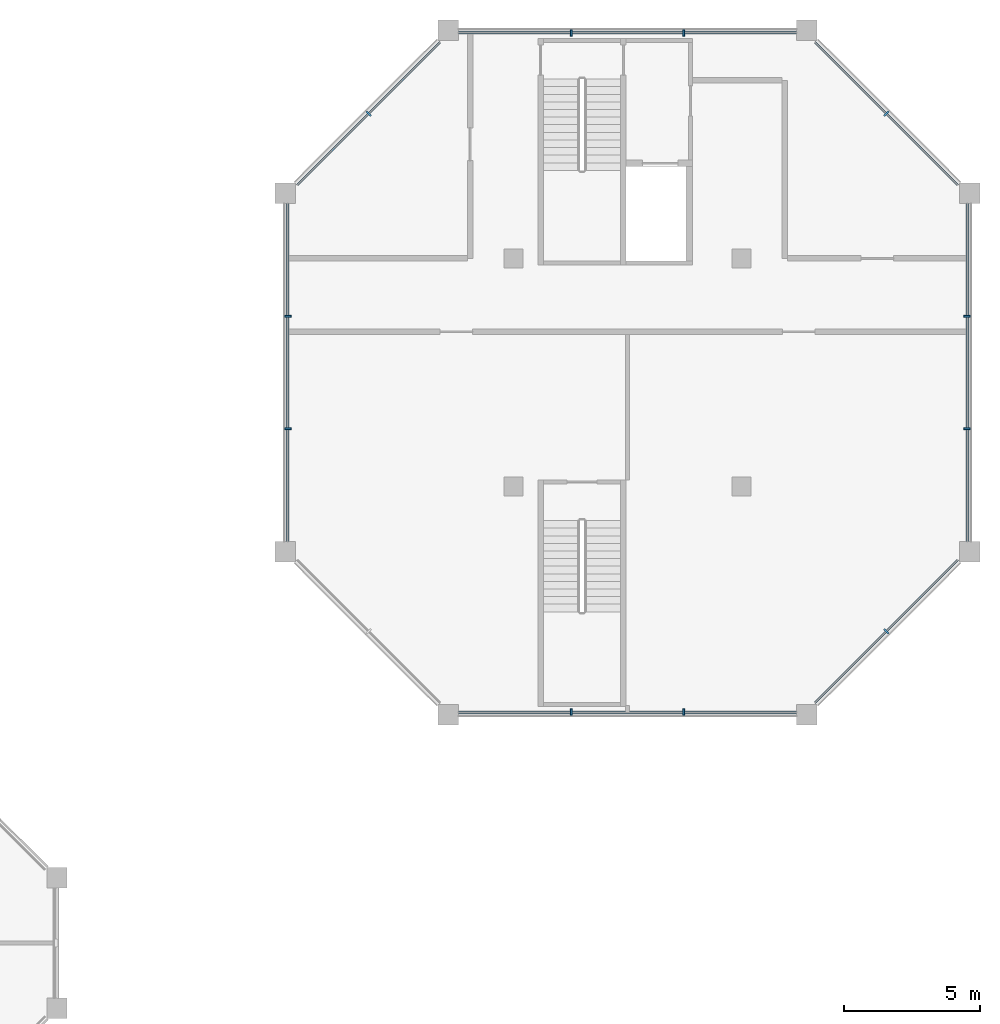
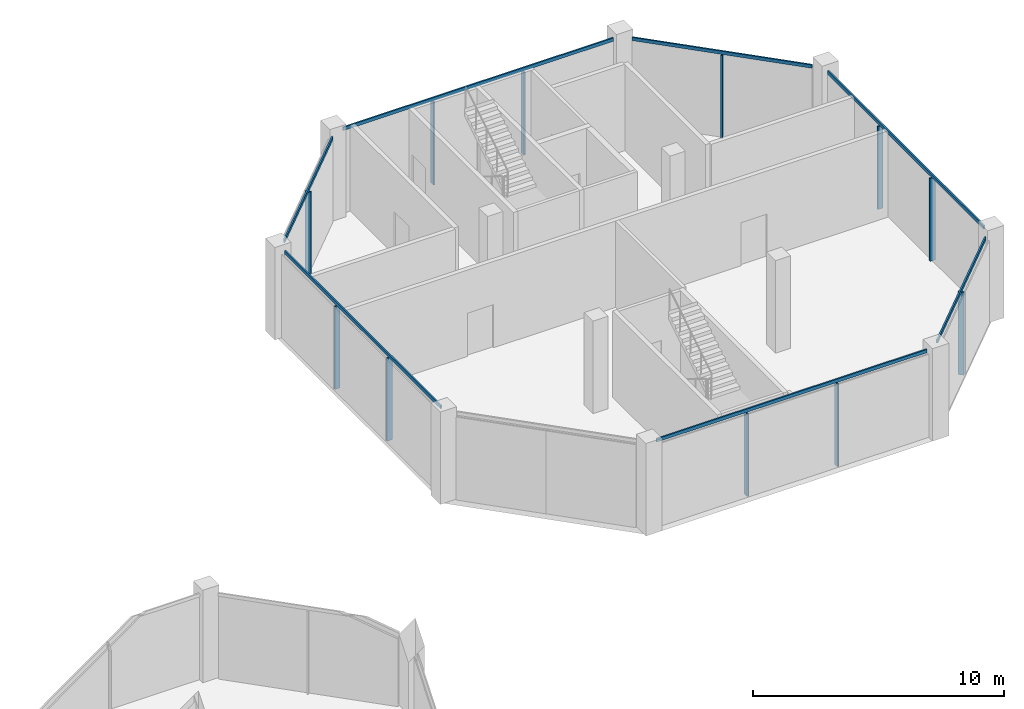
# One storey, part 3 of 9: 18 members, 7 elements without a shape of their own.
"""IFC4 building model written with IfcOpenShell, lengths in metres."""

from ifc_helpers import new_model, si_unit, direction, frame, origin, origin_2d, place, context, subcontext, project, spatial, rectangle, extrude, material, layer, layer_set, material_profile, profile_set, type_object, element, aggregate, save


model = new_model("IFC4")

# Units and contexts
model_context = context("Model", 3, precision=1e-05, world=origin(), true_north=direction((0.0, 1.0)))
body_context = subcontext(model_context, "Body", "Model", "MODEL_VIEW")
ifc_project = project(units=[si_unit("LENGTHUNIT", "METRE"), si_unit("AREAUNIT", "SQUARE_METRE"), si_unit("VOLUMEUNIT", "CUBIC_METRE"), si_unit("PLANEANGLEUNIT", "RADIAN"), si_unit("MASSUNIT", "GRAM", prefix="KILO")], contexts=[model_context])

# Site, building, storey
site_placement = place(None, origin())
site = spatial("IfcSite", under=ifc_project, at=site_placement, CompositionType="ELEMENT")
building_placement = place(site_placement, origin())
building = spatial("IfcBuilding", under=site, at=building_placement, Name="Kawkab Arch Medical Tower", CompositionType="ELEMENT")
storey_placement = place(building_placement, frame((0.0, 0.0, 341.199951171875)))
storey = spatial("IfcBuildingStorey", under=building, at=storey_placement, Name="L79", CompositionType="ELEMENT", Elevation=341.199951171875)

# Curtain wall, member
ifc_material_1 = material(Name="Bronze anodised aluminium curtain wall frame", Category="aluminium")
ifc_layer = layer(ifc_material_1, 0.159912109375)
ifc_layer_set = layer_set([ifc_layer], Name="Bronze anodised aluminium curtain wall frame")
curtain_wall_type = type_object("IfcCurtainWallType", Name="CW6 helipad lobby and crown glazing", PredefinedType="NOTDEFINED", material=ifc_layer_set)
placement = place(storey_placement, origin())
curtain_wall_1 = element("IfcCurtainWall", 1, at=placement, inside=storey, type_object=curtain_wall_type, Name="CW6 Helipad lobby and crown glazing R01", PredefinedType="NOTDEFINED")
ifc_material_2 = material(Name="Bronze anodised aluminium curtain wall frame", Category="aluminium")
ifc_material_profile_1 = material_profile(ifc_material_2, rectangle(XDim=0.239990234375, YDim=0.070068359375, at=origin_2d()), Name="AL 70x240")
ifc_profile_set_1 = profile_set([ifc_material_profile_1], Name="Bronze anodised aluminium curtain wall frame")
member_type_1 = type_object("IfcMemberType", Name="CW6 mullion 70 x 240", PredefinedType="MULLION", material=ifc_profile_set_1)
member_1_placement = place(storey_placement, frame((55.729248046875, -3.07080078125, 0.0), z_axis=(0.0, 0.0, 1.0), x_axis=(-0.707106781187, -0.707106781187, 0.0)))
member_1 = element("IfcMember", 2, at=member_1_placement, type_object=member_type_1, Name="CW6 mullion 1.1", PredefinedType="MULLION", context=body_context, shape_type="SweptSolid", body=[
    extrude(rectangle(XDim=0.239990234375, YDim=0.070068359375, at=origin_2d()), origin(), (0.0, 0.0, 1.0), 4.0400390625),
])

# Curtain wall, members
curtain_wall_2 = element("IfcCurtainWall", 3, at=placement, inside=storey, type_object=curtain_wall_type, Name="CW6 Helipad lobby and crown glazing R02", PredefinedType="NOTDEFINED")
member_2_placement = place(storey_placement, frame((48.27490234375, -0.10009765625, 0.0), z_axis=(0.0, 0.0, 1.0), x_axis=(0.0, -1.0, 0.0)))
member_2 = element("IfcMember", 4, at=member_2_placement, type_object=member_type_1, Name="CW6 mullion 1.1", PredefinedType="MULLION", context=body_context, shape_type="SweptSolid", body=[
    extrude(rectangle(XDim=0.239990234375, YDim=0.070068359375, at=origin_2d()), origin(), (0.0, 0.0, 1.0), 4.0400390625),
])
member_3_placement = place(storey_placement, frame((44.125, -0.10009765625, 0.0), z_axis=(0.0, 0.0, 1.0), x_axis=(0.0, -1.0, 0.0)))
member_3 = element("IfcMember", 5, at=member_3_placement, type_object=member_type_1, Name="CW6 mullion 1.2", PredefinedType="MULLION", context=body_context, shape_type="SweptSolid", body=[
    extrude(rectangle(XDim=0.239990234375, YDim=0.070068359375, at=origin_2d()), origin(), (0.0, 0.0, 1.0), 4.0400390625),
])

# Curtain wall, member
curtain_wall_3 = element("IfcCurtainWall", 6, at=placement, inside=storey, type_object=curtain_wall_type, Name="CW6 Helipad lobby and crown glazing R03", PredefinedType="NOTDEFINED")
member_4_placement = place(storey_placement, frame((36.670654296875, -3.07080078125, 0.0), z_axis=(0.0, 0.0, 1.0), x_axis=(0.707106781187, -0.707106781187, 0.0)))
member_4 = element("IfcMember", 7, at=member_4_placement, type_object=member_type_1, Name="CW6 mullion 1.1", PredefinedType="MULLION", context=body_context, shape_type="SweptSolid", body=[
    extrude(rectangle(XDim=0.239990234375, YDim=0.070068359375, at=origin_2d()), origin(), (0.0, 0.0, 1.0), 4.0400390625),
])

# Curtain wall, members
curtain_wall_4 = element("IfcCurtainWall", 8, at=placement, inside=storey, type_object=curtain_wall_type, Name="CW6 Helipad lobby and crown glazing R04", PredefinedType="NOTDEFINED")
member_5_placement = place(storey_placement, frame((33.699951171875, -10.52490234375, 0.0), z_axis=(0.0, 0.0, 1.0), x_axis=(1.0, 0.0, 0.0)))
member_5 = element("IfcMember", 9, at=member_5_placement, type_object=member_type_1, Name="CW6 mullion 1.1", PredefinedType="MULLION", context=body_context, shape_type="SweptSolid", body=[
    extrude(rectangle(XDim=0.239990234375, YDim=0.070068359375, at=origin_2d()), origin(), (0.0, 0.0, 1.0), 4.0400390625),
])
member_6_placement = place(storey_placement, frame((33.699951171875, -14.675048828125, 0.0), z_axis=(0.0, 0.0, 1.0), x_axis=(1.0, 0.0, 0.0)))
member_6 = element("IfcMember", 10, at=member_6_placement, type_object=member_type_1, Name="CW6 mullion 1.2", PredefinedType="MULLION", context=body_context, shape_type="SweptSolid", body=[
    extrude(rectangle(XDim=0.239990234375, YDim=0.070068359375, at=origin_2d()), origin(), (0.0, 0.0, 1.0), 4.0400390625),
])

curtain_wall_5 = element("IfcCurtainWall", 11, at=placement, inside=storey, type_object=curtain_wall_type, Name="CW6 Helipad lobby and crown glazing R06", PredefinedType="NOTDEFINED")
member_7_placement = place(storey_placement, frame((44.125, -25.10009765625, 0.0), z_axis=(0.0, 0.0, 1.0), x_axis=(0.0, 1.0, 0.0)))
member_7 = element("IfcMember", 12, at=member_7_placement, type_object=member_type_1, Name="CW6 mullion 1.1", PredefinedType="MULLION", context=body_context, shape_type="SweptSolid", body=[
    extrude(rectangle(XDim=0.239990234375, YDim=0.070068359375, at=origin_2d()), origin(), (0.0, 0.0, 1.0), 4.0400390625),
])
member_8_placement = place(storey_placement, frame((48.27490234375, -25.10009765625, 0.0), z_axis=(0.0, 0.0, 1.0), x_axis=(0.0, 1.0, 0.0)))
member_8 = element("IfcMember", 13, at=member_8_placement, type_object=member_type_1, Name="CW6 mullion 1.2", PredefinedType="MULLION", context=body_context, shape_type="SweptSolid", body=[
    extrude(rectangle(XDim=0.239990234375, YDim=0.070068359375, at=origin_2d()), origin(), (0.0, 0.0, 1.0), 4.0400390625),
])

# Curtain wall, member
curtain_wall_6 = element("IfcCurtainWall", 14, at=placement, inside=storey, type_object=curtain_wall_type, Name="CW6 Helipad lobby and crown glazing R07", PredefinedType="NOTDEFINED")
member_9_placement = place(storey_placement, frame((55.729248046875, -22.12939453125, 0.0), z_axis=(0.0, 0.0, 1.0), x_axis=(-0.707106781187, 0.707106781187, 0.0)))
member_9 = element("IfcMember", 15, at=member_9_placement, type_object=member_type_1, Name="CW6 mullion 1.1", PredefinedType="MULLION", context=body_context, shape_type="SweptSolid", body=[
    extrude(rectangle(XDim=0.239990234375, YDim=0.070068359375, at=origin_2d()), origin(), (0.0, 0.0, 1.0), 4.0400390625),
])

# Curtain wall, members
curtain_wall_7 = element("IfcCurtainWall", 16, at=placement, inside=storey, type_object=curtain_wall_type, Name="CW6 Helipad lobby and crown glazing R08", PredefinedType="NOTDEFINED")
member_10_placement = place(storey_placement, frame((58.699951171875, -14.675048828125, 0.0), z_axis=(0.0, 0.0, 1.0), x_axis=(-1.0, 0.0, 0.0)))
member_10 = element("IfcMember", 17, at=member_10_placement, type_object=member_type_1, Name="CW6 mullion 1.1", PredefinedType="MULLION", context=body_context, shape_type="SweptSolid", body=[
    extrude(rectangle(XDim=0.239990234375, YDim=0.070068359375, at=origin_2d()), origin(), (0.0, 0.0, 1.0), 4.0400390625),
])
member_11_placement = place(storey_placement, frame((58.699951171875, -10.52490234375, 0.0), z_axis=(0.0, 0.0, 1.0), x_axis=(-1.0, 0.0, 0.0)))
member_11 = element("IfcMember", 18, at=member_11_placement, type_object=member_type_1, Name="CW6 mullion 1.2", PredefinedType="MULLION", context=body_context, shape_type="SweptSolid", body=[
    extrude(rectangle(XDim=0.239990234375, YDim=0.070068359375, at=origin_2d()), origin(), (0.0, 0.0, 1.0), 4.0400390625),
])

# Member
ifc_material_3 = material(Name="Bronze anodised aluminium curtain wall frame", Category="aluminium")
ifc_material_profile_2 = material_profile(ifc_material_3, rectangle(XDim=0.070068359375, YDim=0.159912109375, at=origin_2d()), Name="AL 70x160")
ifc_profile_set_2 = profile_set([ifc_material_profile_2], Name="Bronze anodised aluminium curtain wall frame")
member_type_2 = type_object("IfcMemberType", Name="CW6 transom 160 x 70", PredefinedType="USERDEFINED", material=ifc_profile_set_2)
member_12_placement = place(storey_placement, frame((58.354248046875, -5.69580078125, 4.1201171875), z_axis=(-0.707090340093, 0.707123221898, 0.0), x_axis=(-0.707123221898, -0.707090340093, 0.0)))
member_12 = element("IfcMember", 19, at=member_12_placement, type_object=member_type_2, Name="CW6 transom 1", ObjectType="TRANSOM", PredefinedType="USERDEFINED", context=body_context, shape_type="SweptSolid", body=[
    extrude(rectangle(XDim=0.070068359375, YDim=0.159912109375, at=origin_2d()), origin(), (0.0, 0.0, 1.0), 7.4248046875),
])

aggregate(curtain_wall_1, [member_12, member_1])

member_13_placement = place(storey_placement, frame((52.425048828125, -0.10009765625, 4.1201171875), z_axis=(-1.0, 0.0, 0.0), x_axis=(0.0, -1.0, 0.0)))
member_13 = element("IfcMember", 20, at=member_13_placement, type_object=member_type_2, Name="CW6 transom 1", ObjectType="TRANSOM", PredefinedType="USERDEFINED", context=body_context, shape_type="SweptSolid", body=[
    extrude(rectangle(XDim=0.070068359375, YDim=0.159912109375, at=origin_2d()), origin(), (0.0, 0.0, 1.0), 12.449951171875),
])

aggregate(curtain_wall_2, [member_13, member_2, member_3])

member_14_placement = place(storey_placement, frame((39.295654296875, -0.44580078125, 4.1201171875), z_axis=(-0.707106781187, -0.707106781187, 0.0), x_axis=(0.707106781187, -0.707106781187, 0.0)))
member_14 = element("IfcMember", 21, at=member_14_placement, type_object=member_type_2, Name="CW6 transom 1", ObjectType="TRANSOM", PredefinedType="USERDEFINED", context=body_context, shape_type="SweptSolid", body=[
    extrude(rectangle(XDim=0.070068359375, YDim=0.159912109375, at=origin_2d()), origin(), (0.0, 0.0, 1.0), 7.424560546875),
])

aggregate(curtain_wall_3, [member_14, member_4])

member_15_placement = place(storey_placement, frame((33.699951171875, -6.375, 4.1201171875), z_axis=(0.0, -1.0, 0.0), x_axis=(1.0, 0.0, 0.0)))
member_15 = element("IfcMember", 22, at=member_15_placement, type_object=member_type_2, Name="CW6 transom 1", ObjectType="TRANSOM", PredefinedType="USERDEFINED", context=body_context, shape_type="SweptSolid", body=[
    extrude(rectangle(XDim=0.070068359375, YDim=0.159912109375, at=origin_2d()), origin(), (0.0, 0.0, 1.0), 12.449951171875),
])

aggregate(curtain_wall_4, [member_15, member_5, member_6])

member_16_placement = place(storey_placement, frame((39.97509765625, -25.10009765625, 4.1201171875), z_axis=(1.0, 0.0, 0.0), x_axis=(0.0, 1.0, 0.0)))
member_16 = element("IfcMember", 23, at=member_16_placement, type_object=member_type_2, Name="CW6 transom 1", ObjectType="TRANSOM", PredefinedType="USERDEFINED", context=body_context, shape_type="SweptSolid", body=[
    extrude(rectangle(XDim=0.070068359375, YDim=0.159912109375, at=origin_2d()), origin(), (0.0, 0.0, 1.0), 12.449951171875),
])

aggregate(curtain_wall_5, [member_16, member_7, member_8])

member_17_placement = place(storey_placement, frame((53.104248046875, -24.75439453125, 4.1201171875), z_axis=(0.707090340093, 0.707123221898, 0.0), x_axis=(-0.707123221898, 0.707090340093, 0.0)))
member_17 = element("IfcMember", 24, at=member_17_placement, type_object=member_type_2, Name="CW6 transom 1", ObjectType="TRANSOM", PredefinedType="USERDEFINED", context=body_context, shape_type="SweptSolid", body=[
    extrude(rectangle(XDim=0.070068359375, YDim=0.159912109375, at=origin_2d()), origin(), (0.0, 0.0, 1.0), 7.4248046875),
])

aggregate(curtain_wall_6, [member_17, member_9])

member_18_placement = place(storey_placement, frame((58.699951171875, -18.824951171875, 4.1201171875), z_axis=(0.0, 1.0, 0.0), x_axis=(-1.0, 0.0, 0.0)))
member_18 = element("IfcMember", 25, at=member_18_placement, type_object=member_type_2, Name="CW6 transom 1", ObjectType="TRANSOM", PredefinedType="USERDEFINED", context=body_context, shape_type="SweptSolid", body=[
    extrude(rectangle(XDim=0.070068359375, YDim=0.159912109375, at=origin_2d()), origin(), (0.0, 0.0, 1.0), 12.449951171875),
])

aggregate(curtain_wall_7, [member_18, member_10, member_11])

save(model, "model.ifc")
